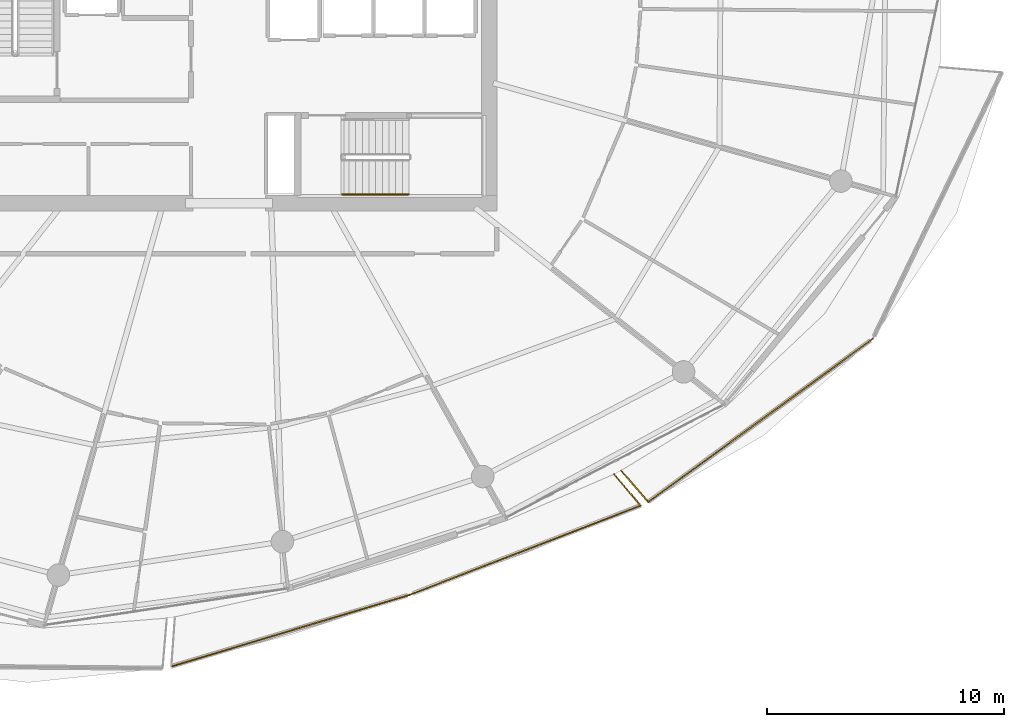
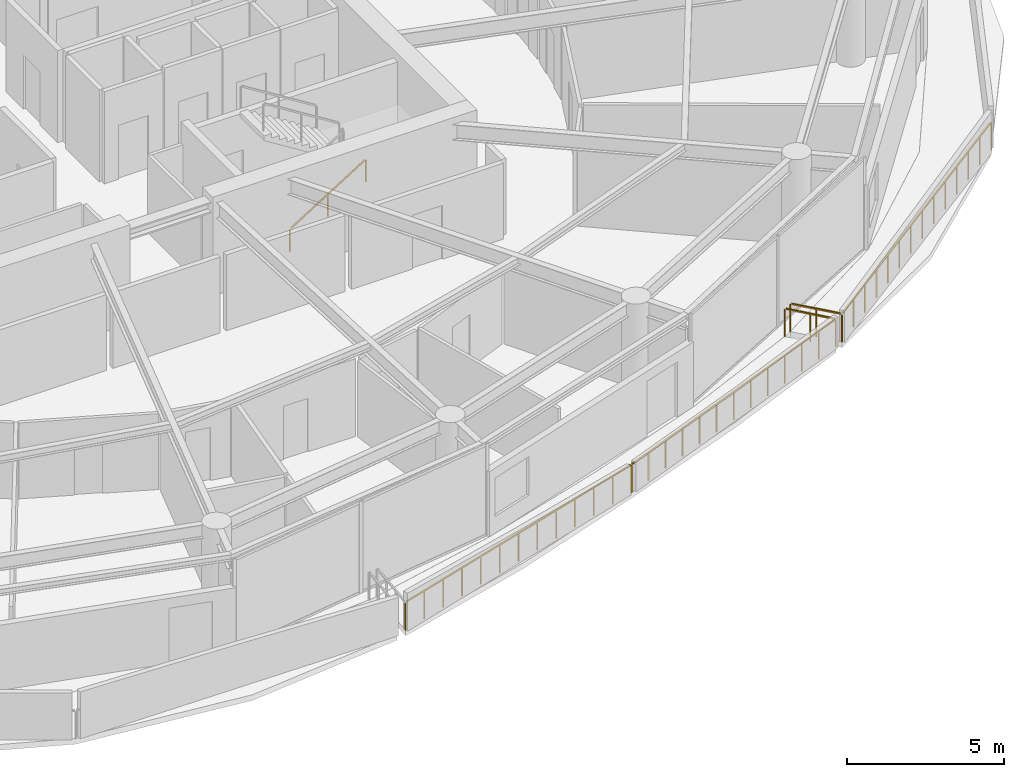
# One storey, part 26 of 30: 6 railings.
"""IFC4 building model written with IfcOpenShell, lengths in metres."""

from ifc_helpers import new_model, si_unit, direction, frame, origin, origin_2d, place, context, subcontext, project, spatial, rectangle, extrude, material, type_object, element, save


model = new_model("IFC4")

# Units and contexts
model_context = context("Model", 3, precision=1e-05, world=origin(), true_north=direction((0.0, 1.0)))
body_context = subcontext(model_context, "Body", "Model", "MODEL_VIEW")
ifc_project = project(units=[si_unit("LENGTHUNIT", "METRE"), si_unit("AREAUNIT", "SQUARE_METRE"), si_unit("VOLUMEUNIT", "CUBIC_METRE"), si_unit("PLANEANGLEUNIT", "RADIAN"), si_unit("MASSUNIT", "GRAM", prefix="KILO")], contexts=[model_context])

# Site, building, storey
site_placement = place(None, origin())
site = spatial("IfcSite", under=ifc_project, at=site_placement, CompositionType="ELEMENT")
building_placement = place(site_placement, origin())
building = spatial("IfcBuilding", under=site, at=building_placement, Name="Kazma Halo Residences", CompositionType="ELEMENT")
storey_placement = place(building_placement, frame((0.0, 0.0, 244.39990234375)))
storey = spatial("IfcBuildingStorey", under=building, at=storey_placement, Name="L61", CompositionType="ELEMENT", Elevation=244.39990234375)

# Railings
ifc_material_1 = material(Name="Aluminium AW-6063 T6 Brushed Cap Rail", Category="aluminium")
railing_type_1 = type_object("IfcRailingType", Name="RLG-BAL-CAP-1120", PredefinedType="BALUSTRADE", material=ifc_material_1)
railing_1_placement = place(storey_placement, frame((45.980224609375, 14.16357421875, 0.0)))
element("IfcRailing", 1, at=railing_1_placement, inside=storey, type_object=railing_type_1, Name="L61 SSE wave balcony guard 2", PredefinedType="BALUSTRADE", context=body_context, shape_type="SweptSolid", body=[
    extrude(rectangle(XDim=0.050048828125, YDim=0.050048828125, at=origin_2d()), frame((0.040771484375, 0.01220703125, 1.09521484375), z_axis=(0.957652462727, 0.287926658427, 0.0), x_axis=(-0.287926658427, 0.957652462727, 0.0)), (0.0, 0.0, 1.0), 10.440185546875),
    extrude(rectangle(XDim=0.0400390625, YDim=0.0400390625, at=origin_2d()), origin(), (0.0, 0.0, 1.0), 1.05810546875),
    extrude(rectangle(XDim=0.0400390625, YDim=0.0400390625, at=origin_2d()), frame((0.83984375, 0.25244140625, 0.0)), (0.0, 0.0, 1.0), 1.05810546875),
    extrude(rectangle(XDim=0.0400390625, YDim=0.0400390625, at=origin_2d()), frame((1.679931640625, 0.505126953125, 0.0)), (0.0, 0.0, 1.0), 1.05810546875),
    extrude(rectangle(XDim=0.0400390625, YDim=0.0400390625, at=origin_2d()), frame((2.52001953125, 0.757568359375, 0.0)), (0.0, 0.0, 1.0), 1.05810546875),
    extrude(rectangle(XDim=0.0400390625, YDim=0.0400390625, at=origin_2d()), frame((3.35986328125, 1.01025390625, 0.0)), (0.0, 0.0, 1.0), 1.05810546875),
    extrude(rectangle(XDim=0.0400390625, YDim=0.0400390625, at=origin_2d()), frame((4.19970703125, 1.2626953125, 0.0)), (0.0, 0.0, 1.0), 1.05810546875),
    extrude(rectangle(XDim=0.0400390625, YDim=0.0400390625, at=origin_2d()), frame((5.039794921875, 1.51513671875, 0.0)), (0.0, 0.0, 1.0), 1.05810546875),
    extrude(rectangle(XDim=0.0400390625, YDim=0.0400390625, at=origin_2d()), frame((5.8798828125, 1.767822265625, 0.0)), (0.0, 0.0, 1.0), 1.05810546875),
    extrude(rectangle(XDim=0.0400390625, YDim=0.0400390625, at=origin_2d()), frame((6.7197265625, 2.020263671875, 0.0)), (0.0, 0.0, 1.0), 1.05810546875),
    extrude(rectangle(XDim=0.0400390625, YDim=0.0400390625, at=origin_2d()), frame((7.5595703125, 2.27294921875, 0.0)), (0.0, 0.0, 1.0), 1.05810546875),
    extrude(rectangle(XDim=0.0400390625, YDim=0.0400390625, at=origin_2d()), frame((8.399658203125, 2.525390625, 0.0)), (0.0, 0.0, 1.0), 1.05810546875),
    extrude(rectangle(XDim=0.0400390625, YDim=0.0400390625, at=origin_2d()), frame((9.23974609375, 2.778076171875, 0.0)), (0.0, 0.0, 1.0), 1.05810546875),
    extrude(rectangle(XDim=0.0400390625, YDim=0.0400390625, at=origin_2d()), frame((10.07958984375, 3.030517578125, 0.0)), (0.0, 0.0, 1.0), 1.05810546875),
])
railing_2_placement = place(storey_placement, frame((56.059814453125, 17.194091796875, 0.0)))
element("IfcRailing", 2, at=railing_2_placement, inside=storey, type_object=railing_type_1, Name="L61 SSE wave balcony guard 3", PredefinedType="BALUSTRADE", context=body_context, shape_type="SweptSolid", body=[
    extrude(rectangle(XDim=0.050048828125, YDim=0.050048828125, at=origin_2d()), frame((0.039794921875, 0.015380859375, 1.09521484375), z_axis=(0.932680975697, 0.36070236702, 0.0), x_axis=(-0.36070236702, 0.932680975697, 0.0)), (0.0, 0.0, 1.0), 10.31591796875),
    extrude(rectangle(XDim=0.0400390625, YDim=0.0400390625, at=origin_2d()), origin(), (0.0, 0.0, 1.0), 1.05810546875),
    extrude(rectangle(XDim=0.0400390625, YDim=0.0400390625, at=origin_2d()), frame((0.808349609375, 0.312744140625, 0.0)), (0.0, 0.0, 1.0), 1.05810546875),
    extrude(rectangle(XDim=0.0400390625, YDim=0.0400390625, at=origin_2d()), frame((1.61669921875, 0.625244140625, 0.0)), (0.0, 0.0, 1.0), 1.05810546875),
    extrude(rectangle(XDim=0.0400390625, YDim=0.0400390625, at=origin_2d()), frame((2.42529296875, 0.93798828125, 0.0)), (0.0, 0.0, 1.0), 1.05810546875),
    extrude(rectangle(XDim=0.0400390625, YDim=0.0400390625, at=origin_2d()), frame((3.233642578125, 1.25048828125, 0.0)), (0.0, 0.0, 1.0), 1.05810546875),
    extrude(rectangle(XDim=0.0400390625, YDim=0.0400390625, at=origin_2d()), frame((4.0419921875, 1.563232421875, 0.0)), (0.0, 0.0, 1.0), 1.05810546875),
    extrude(rectangle(XDim=0.0400390625, YDim=0.0400390625, at=origin_2d()), frame((4.8505859375, 1.8759765625, 0.0)), (0.0, 0.0, 1.0), 1.05810546875),
    extrude(rectangle(XDim=0.0400390625, YDim=0.0400390625, at=origin_2d()), frame((5.658935546875, 2.1884765625, 0.0)), (0.0, 0.0, 1.0), 1.05810546875),
    extrude(rectangle(XDim=0.0400390625, YDim=0.0400390625, at=origin_2d()), frame((6.46728515625, 2.501220703125, 0.0)), (0.0, 0.0, 1.0), 1.05810546875),
    extrude(rectangle(XDim=0.0400390625, YDim=0.0400390625, at=origin_2d()), frame((7.275634765625, 2.813720703125, 0.0)), (0.0, 0.0, 1.0), 1.05810546875),
    extrude(rectangle(XDim=0.0400390625, YDim=0.0400390625, at=origin_2d()), frame((8.083984375, 3.12646484375, 0.0)), (0.0, 0.0, 1.0), 1.05810546875),
    extrude(rectangle(XDim=0.0400390625, YDim=0.0400390625, at=origin_2d()), frame((8.892578125, 3.43896484375, 0.0)), (0.0, 0.0, 1.0), 1.05810546875),
    extrude(rectangle(XDim=0.0400390625, YDim=0.0400390625, at=origin_2d()), frame((9.700927734375, 3.751708984375, 0.0)), (0.0, 0.0, 1.0), 1.05810546875),
])
railing_3_placement = place(storey_placement, frame((65.7607421875, 20.94580078125, 0.0)))
element("IfcRailing", 3, at=railing_3_placement, inside=storey, type_object=railing_type_1, Name="L61 SSE wave balcony guard 4", PredefinedType="BALUSTRADE", context=body_context, shape_type="SweptSolid", body=[
    extrude(rectangle(XDim=0.050048828125, YDim=0.050048828125, at=origin_2d()), frame((-0.02734375, 0.032470703125, 1.09521484375), z_axis=(-0.644847767018, 0.764311034443, 0.0), x_axis=(-0.764311034443, -0.644847767018, 0.0)), (0.0, 0.0, 1.0), 1.64599609375),
    extrude(rectangle(XDim=0.0400390625, YDim=0.0400390625, at=origin_2d()), origin(), (0.0, 0.0, 1.0), 1.05810546875),
    extrude(rectangle(XDim=0.0400390625, YDim=0.0400390625, at=origin_2d()), frame((-0.55810546875, 0.66162109375, 0.0)), (0.0, 0.0, 1.0), 1.05810546875),
    extrude(rectangle(XDim=0.0400390625, YDim=0.0400390625, at=origin_2d()), frame((-1.1162109375, 1.322998046875, 0.0)), (0.0, 0.0, 1.0), 1.05810546875),
])
railing_4_placement = place(storey_placement, frame((64.93212890625, 22.41845703125, 0.0)))
element("IfcRailing", 4, at=railing_4_placement, inside=storey, type_object=railing_type_1, Name="L61 SE wave balcony guard 1", PredefinedType="BALUSTRADE", context=body_context, shape_type="SweptSolid", body=[
    extrude(rectangle(XDim=0.050048828125, YDim=0.050048828125, at=origin_2d()), frame((0.02783203125, -0.0322265625, 1.09521484375), z_axis=(0.654106617809, -0.756402361537, 0.0), x_axis=(0.756402361537, 0.654106617809, 0.0)), (0.0, 0.0, 1.0), 1.664306640625),
    extrude(rectangle(XDim=0.0400390625, YDim=0.0400390625, at=origin_2d()), origin(), (0.0, 0.0, 1.0), 1.05810546875),
    extrude(rectangle(XDim=0.0400390625, YDim=0.0400390625, at=origin_2d()), frame((0.572265625, -0.66162109375, 0.0)), (0.0, 0.0, 1.0), 1.05810546875),
    extrude(rectangle(XDim=0.0400390625, YDim=0.0400390625, at=origin_2d()), frame((1.144287109375, -1.3232421875, 0.0)), (0.0, 0.0, 1.0), 1.05810546875),
])
railing_5_placement = place(storey_placement, frame((66.076416015625, 21.09521484375, 0.0)))
element("IfcRailing", 5, at=railing_5_placement, inside=storey, type_object=railing_type_1, Name="L61 SE wave balcony guard 2", PredefinedType="BALUSTRADE", context=body_context, shape_type="SweptSolid", body=[
    extrude(rectangle(XDim=0.050048828125, YDim=0.050048828125, at=origin_2d()), frame((0.034423828125, 0.02490234375, 1.09521484375), z_axis=(0.809252961713, 0.587460333946, 0.0), x_axis=(-0.587460333946, 0.809252961713, 0.0)), (0.0, 0.0, 1.0), 11.611572265625),
    extrude(rectangle(XDim=0.0400390625, YDim=0.0400390625, at=origin_2d()), origin(), (0.0, 0.0, 1.0), 1.05810546875),
    extrude(rectangle(XDim=0.0400390625, YDim=0.0400390625, at=origin_2d()), frame((0.72802734375, 0.528564453125, 0.0)), (0.0, 0.0, 1.0), 1.05810546875),
    extrude(rectangle(XDim=0.0400390625, YDim=0.0400390625, at=origin_2d()), frame((1.456298828125, 1.05712890625, 0.0)), (0.0, 0.0, 1.0), 1.05810546875),
    extrude(rectangle(XDim=0.0400390625, YDim=0.0400390625, at=origin_2d()), frame((2.184326171875, 1.585693359375, 0.0)), (0.0, 0.0, 1.0), 1.05810546875),
    extrude(rectangle(XDim=0.0400390625, YDim=0.0400390625, at=origin_2d()), frame((2.91259765625, 2.1142578125, 0.0)), (0.0, 0.0, 1.0), 1.05810546875),
    extrude(rectangle(XDim=0.0400390625, YDim=0.0400390625, at=origin_2d()), frame((3.640625, 2.642822265625, 0.0)), (0.0, 0.0, 1.0), 1.05810546875),
    extrude(rectangle(XDim=0.0400390625, YDim=0.0400390625, at=origin_2d()), frame((4.36865234375, 3.17138671875, 0.0)), (0.0, 0.0, 1.0), 1.05810546875),
    extrude(rectangle(XDim=0.0400390625, YDim=0.0400390625, at=origin_2d()), frame((5.096923828125, 3.699951171875, 0.0)), (0.0, 0.0, 1.0), 1.05810546875),
    extrude(rectangle(XDim=0.0400390625, YDim=0.0400390625, at=origin_2d()), frame((5.824951171875, 4.228515625, 0.0)), (0.0, 0.0, 1.0), 1.05810546875),
    extrude(rectangle(XDim=0.0400390625, YDim=0.0400390625, at=origin_2d()), frame((6.552978515625, 4.757080078125, 0.0)), (0.0, 0.0, 1.0), 1.05810546875),
    extrude(rectangle(XDim=0.0400390625, YDim=0.0400390625, at=origin_2d()), frame((7.28125, 5.28564453125, 0.0)), (0.0, 0.0, 1.0), 1.05810546875),
    extrude(rectangle(XDim=0.0400390625, YDim=0.0400390625, at=origin_2d()), frame((8.00927734375, 5.814208984375, 0.0)), (0.0, 0.0, 1.0), 1.05810546875),
    extrude(rectangle(XDim=0.0400390625, YDim=0.0400390625, at=origin_2d()), frame((8.737548828125, 6.3427734375, 0.0)), (0.0, 0.0, 1.0), 1.05810546875),
    extrude(rectangle(XDim=0.0400390625, YDim=0.0400390625, at=origin_2d()), frame((9.465576171875, 6.871337890625, 0.0)), (0.0, 0.0, 1.0), 1.05810546875),
])
ifc_material_2 = material(Name="Brushed Stainless Steel", Category="steel")
railing_type_2 = type_object("IfcRailingType", Name="RLG-STAIR-HND-900", PredefinedType="HANDRAIL", material=ifc_material_2)
railing_6_placement = place(storey_placement, frame((53.199951171875, 34.050048828125, 0.175048828125)))
element("IfcRailing", 6, at=railing_6_placement, inside=storey, type_object=railing_type_2, Name="L61 ST-03 stair handrail 1", PredefinedType="HANDRAIL", context=body_context, shape_type="SweptSolid", body=[
    extrude(rectangle(XDim=0.050048828125, YDim=0.050048828125, at=origin_2d()), frame((0.0361328125, 0.0, 0.8974609375), z_axis=(0.848002457836, 0.0, 0.529992293815), x_axis=(0.0, 1.0, 0.0)), (0.0, 0.0, 1.0), 3.216796875),
    extrude(rectangle(XDim=0.0400390625, YDim=0.0400390625, at=origin_2d()), origin(), (0.0, 0.0, 1.0), 0.837890625),
    extrude(rectangle(XDim=0.0400390625, YDim=0.0400390625, at=origin_2d()), frame((1.39990234375, 0.0, 0.875)), (0.0, 0.0, 1.0), 0.837890625),
    extrude(rectangle(XDim=0.0400390625, YDim=0.0400390625, at=origin_2d()), frame((2.800048828125, 0.0, 1.75)), (0.0, 0.0, 1.0), 0.837890625),
])

save(model, "model.ifc")
